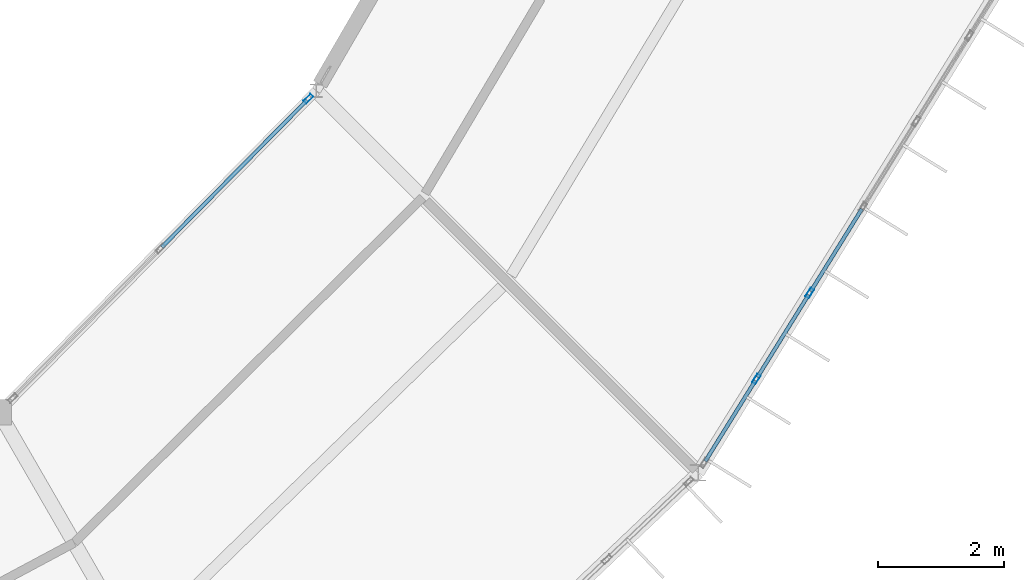
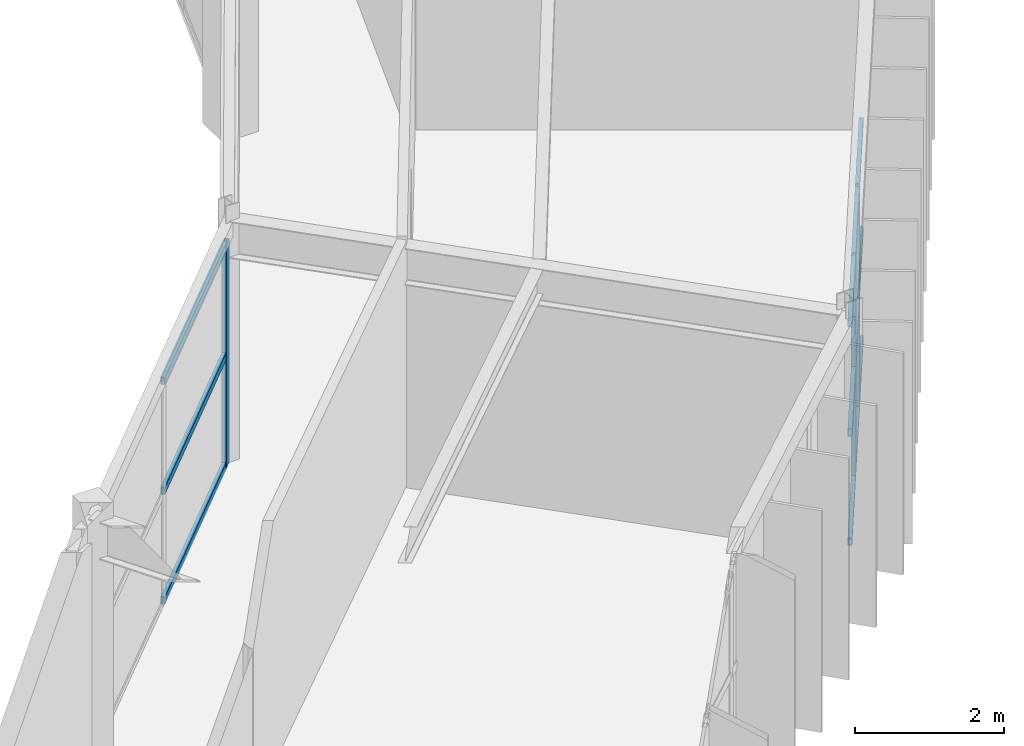
# One storey, part 47 of 130: 15 members, 2 elements without a shape of their own.
"""IFC4 building model written with IfcOpenShell, lengths in metres."""

from ifc_helpers import new_model, si_unit, direction, frame, origin, origin_2d, place, context, subcontext, project, spatial, hollow_rectangle, extrude, material, material_profile, profile_set, type_object, element, aggregate, save


model = new_model("IFC4")

# Units and contexts
model_context = context("Model", 3, precision=1e-05, world=origin(), true_north=direction((0.0, 1.0)))
body_context = subcontext(model_context, "Body", "Model", "MODEL_VIEW")
ifc_project = project(units=[si_unit("LENGTHUNIT", "METRE"), si_unit("AREAUNIT", "SQUARE_METRE"), si_unit("VOLUMEUNIT", "CUBIC_METRE"), si_unit("PLANEANGLEUNIT", "RADIAN"), si_unit("MASSUNIT", "GRAM", prefix="KILO")], contexts=[model_context])

# Site, building, storey
site_placement = place(None, origin())
site = spatial("IfcSite", under=ifc_project, at=site_placement, CompositionType="ELEMENT")
building_placement = place(site_placement, origin())
building = spatial("IfcBuilding", under=site, at=building_placement, Name="Karori Crest Natural Sciences Institute", CompositionType="ELEMENT")
storey_placement = place(building_placement, frame((0.0, 0.0, 17.5)))
storey = spatial("IfcBuildingStorey", under=building, at=storey_placement, Name="L04", CompositionType="ELEMENT", Elevation=17.5)

# Curtain wall, member
ifc_material = material(Name="Anodised architectural aluminium 6063-T6", Category="aluminium")
curtain_wall_type_1 = type_object("IfcCurtainWallType", Name="CWT-11", PredefinedType="NOTDEFINED", material=ifc_material)
curtain_wall_1_placement = place(storey_placement, origin())
curtain_wall_1 = element("IfcCurtainWall", 1, at=curtain_wall_1_placement, inside=storey, type_object=curtain_wall_type_1, Name="Curtain wall CW-0167", PredefinedType="NOTDEFINED")
ifc_material_profile_1 = material_profile(ifc_material, hollow_rectangle(XDim=0.06494140625, YDim=0.159912109375, WallThickness=0.00390625, at=origin_2d()), Name="CWM160x65x4")
ifc_profile_set_1 = profile_set([ifc_material_profile_1], Name="Anodised architectural aluminium 6063-T6")
member_type_1 = type_object("IfcMemberType", Name="CWM-01", PredefinedType="MULLION", material=ifc_profile_set_1)
member_1_placement = place(storey_placement, frame((83.529541015625, 27.005615234375, 0.0), z_axis=(0.0, 0.0, 1.0), x_axis=(-0.711524963942, 0.702660818381, 0.0)))
member_1 = element("IfcMember", 2, at=member_1_placement, type_object=member_type_1, Name="CW-0167 mullion 3", PredefinedType="MULLION", context=body_context, shape_type="SweptSolid", body=[
    extrude(hollow_rectangle(XDim=0.06494140625, YDim=0.159912109375, WallThickness=0.00390625, at=origin_2d()), origin(), (0.0, 0.0, 1.0), 3.64990234375),
])

# Curtain wall, members
curtain_wall_type_2 = type_object("IfcCurtainWallType", Name="CWT-02", PredefinedType="NOTDEFINED", material=ifc_material)
curtain_wall_2_placement = place(storey_placement, origin())
curtain_wall_2 = element("IfcCurtainWall", 3, at=curtain_wall_2_placement, inside=storey, type_object=curtain_wall_type_2, Name="Curtain wall CW-0168", PredefinedType="NOTDEFINED")
member_2_placement = place(storey_placement, frame((91.509765625, 23.910400390625, 0.0), z_axis=(0.0, 0.0, 1.0), x_axis=(0.849664350398, -0.527323896352, 0.0)))
member_2 = element("IfcMember", 4, at=member_2_placement, type_object=member_type_1, Name="CW-0168 mullion 5", PredefinedType="MULLION", context=body_context, shape_type="SweptSolid", body=[
    extrude(hollow_rectangle(XDim=0.06494140625, YDim=0.159912109375, WallThickness=0.00390625, at=origin_2d()), origin(), (0.0, 0.0, 1.0), 3.625),
])
member_3_placement = place(storey_placement, frame((90.661865234375, 22.54443359375, 0.0), z_axis=(0.0, 0.0, 1.0), x_axis=(0.849664350398, -0.527323896352, 0.0)))
member_3 = element("IfcMember", 5, at=member_3_placement, type_object=member_type_1, Name="CW-0168 mullion 6", PredefinedType="MULLION", context=body_context, shape_type="SweptSolid", body=[
    extrude(hollow_rectangle(XDim=0.06494140625, YDim=0.159912109375, WallThickness=0.00390625, at=origin_2d()), origin(), (0.0, 0.0, 1.0), 3.625),
])

# Member
ifc_material_profile_2 = material_profile(ifc_material, hollow_rectangle(XDim=0.06005859375, YDim=0.1201171875, WallThickness=0.00390625, at=origin_2d()), Name="CWT120x60x4")
ifc_profile_set_2 = profile_set([ifc_material_profile_2], Name="Anodised architectural aluminium 6063-T6")
member_type_2 = type_object("IfcMemberType", Name="CWT-TR1", PredefinedType="USERDEFINED", material=ifc_profile_set_2)
member_4_placement = place(storey_placement, frame((81.197021484375, 24.643798828125, 0.030029296875), z_axis=(0.702636271003, 0.711549204673, 0.0), x_axis=(-0.711549204673, 0.702636271003, 0.0)))
member_4 = element("IfcMember", 6, at=member_4_placement, type_object=member_type_2, Name="CW-0167 transom 2.1", ObjectType="TRANSOM", PredefinedType="USERDEFINED", context=body_context, shape_type="SweptSolid", body=[
    extrude(hollow_rectangle(XDim=0.06005859375, YDim=0.1201171875, WallThickness=0.00390625, at=origin_2d()), origin(), (0.0, 0.0, 1.0), 3.287109375),
])

member_5_placement = place(storey_placement, frame((81.197021484375, 24.643798828125, 1.824951171875), z_axis=(0.702636271003, 0.711549204673, 0.0), x_axis=(-0.711549204673, 0.702636271003, 0.0)))
member_5 = element("IfcMember", 7, at=member_5_placement, type_object=member_type_2, Name="CW-0167 transom 2.2", ObjectType="TRANSOM", PredefinedType="USERDEFINED", context=body_context, shape_type="SweptSolid", body=[
    extrude(hollow_rectangle(XDim=0.06005859375, YDim=0.1201171875, WallThickness=0.00390625, at=origin_2d()), origin(), (0.0, 0.0, 1.0), 3.287109375),
])

member_6_placement = place(storey_placement, frame((81.197021484375, 24.643798828125, 3.6201171875), z_axis=(0.702636271003, 0.711549204673, 0.0), x_axis=(-0.711549204673, 0.702636271003, 0.0)))
member_6 = element("IfcMember", 8, at=member_6_placement, type_object=member_type_2, Name="CW-0167 transom 2.3", ObjectType="TRANSOM", PredefinedType="USERDEFINED", context=body_context, shape_type="SweptSolid", body=[
    extrude(hollow_rectangle(XDim=0.06005859375, YDim=0.1201171875, WallThickness=0.00390625, at=origin_2d()), origin(), (0.0, 0.0, 1.0), 3.287109375),
])

aggregate(curtain_wall_1, [member_1, member_4, member_5, member_6])

member_7_placement = place(storey_placement, frame((92.34033203125, 25.248779296875, 0.030029296875), z_axis=(-0.527307708925, -0.849674396524, 0.0), x_axis=(0.849674396524, -0.527307708925, 0.0)))
member_7 = element("IfcMember", 9, at=member_7_placement, type_object=member_type_2, Name="CW-0168 transom 4.1", ObjectType="TRANSOM", PredefinedType="USERDEFINED", context=body_context, shape_type="SweptSolid", body=[
    extrude(hollow_rectangle(XDim=0.06005859375, YDim=0.1201171875, WallThickness=0.00390625, at=origin_2d()), origin(), (0.0, 0.0, 1.0), 1.542724609375),
])

member_8_placement = place(storey_placement, frame((92.34033203125, 25.248779296875, 1.8125), z_axis=(-0.527307708925, -0.849674396524, 0.0), x_axis=(0.849674396524, -0.527307708925, 0.0)))
member_8 = element("IfcMember", 10, at=member_8_placement, type_object=member_type_2, Name="CW-0168 transom 4.2", ObjectType="TRANSOM", PredefinedType="USERDEFINED", context=body_context, shape_type="SweptSolid", body=[
    extrude(hollow_rectangle(XDim=0.06005859375, YDim=0.1201171875, WallThickness=0.00390625, at=origin_2d()), origin(), (0.0, 0.0, 1.0), 1.542724609375),
])

member_9_placement = place(storey_placement, frame((92.34033203125, 25.248779296875, 3.594970703125), z_axis=(-0.527307708925, -0.849674396524, 0.0), x_axis=(0.849674396524, -0.527307708925, 0.0)))
member_9 = element("IfcMember", 11, at=member_9_placement, type_object=member_type_2, Name="CW-0168 transom 4.3", ObjectType="TRANSOM", PredefinedType="USERDEFINED", context=body_context, shape_type="SweptSolid", body=[
    extrude(hollow_rectangle(XDim=0.06005859375, YDim=0.1201171875, WallThickness=0.00390625, at=origin_2d()), origin(), (0.0, 0.0, 1.0), 1.542724609375),
])

member_10_placement = place(storey_placement, frame((91.49267578125, 23.8828125, 0.030029296875), z_axis=(-0.527421946724, -0.849603489937, 0.0), x_axis=(0.849603489937, -0.527421946724, 0.0)))
member_10 = element("IfcMember", 12, at=member_10_placement, type_object=member_type_2, Name="CW-0168 transom 5.1", ObjectType="TRANSOM", PredefinedType="USERDEFINED", context=body_context, shape_type="SweptSolid", body=[
    extrude(hollow_rectangle(XDim=0.06005859375, YDim=0.1201171875, WallThickness=0.00390625, at=origin_2d()), origin(), (0.0, 0.0, 1.0), 1.542724609375),
])

member_11_placement = place(storey_placement, frame((91.49267578125, 23.8828125, 1.8125), z_axis=(-0.527421946724, -0.849603489937, 0.0), x_axis=(0.849603489937, -0.527421946724, 0.0)))
member_11 = element("IfcMember", 13, at=member_11_placement, type_object=member_type_2, Name="CW-0168 transom 5.2", ObjectType="TRANSOM", PredefinedType="USERDEFINED", context=body_context, shape_type="SweptSolid", body=[
    extrude(hollow_rectangle(XDim=0.06005859375, YDim=0.1201171875, WallThickness=0.00390625, at=origin_2d()), origin(), (0.0, 0.0, 1.0), 1.542724609375),
])

member_12_placement = place(storey_placement, frame((91.49267578125, 23.8828125, 3.594970703125), z_axis=(-0.527421946724, -0.849603489937, 0.0), x_axis=(0.849603489937, -0.527421946724, 0.0)))
member_12 = element("IfcMember", 14, at=member_12_placement, type_object=member_type_2, Name="CW-0168 transom 5.3", ObjectType="TRANSOM", PredefinedType="USERDEFINED", context=body_context, shape_type="SweptSolid", body=[
    extrude(hollow_rectangle(XDim=0.06005859375, YDim=0.1201171875, WallThickness=0.00390625, at=origin_2d()), origin(), (0.0, 0.0, 1.0), 1.542724609375),
])

member_13_placement = place(storey_placement, frame((90.644775390625, 22.516845703125, 0.030029296875), z_axis=(-0.52732262058, -0.849665142173, 0.0), x_axis=(0.849665142173, -0.52732262058, 0.0)))
member_13 = element("IfcMember", 15, at=member_13_placement, type_object=member_type_2, Name="CW-0168 transom 6.1", ObjectType="TRANSOM", PredefinedType="USERDEFINED", context=body_context, shape_type="SweptSolid", body=[
    extrude(hollow_rectangle(XDim=0.06005859375, YDim=0.1201171875, WallThickness=0.00390625, at=origin_2d()), origin(), (0.0, 0.0, 1.0), 1.51025390625),
])

member_14_placement = place(storey_placement, frame((90.644775390625, 22.516845703125, 1.8125), z_axis=(-0.52732262058, -0.849665142173, 0.0), x_axis=(0.849665142173, -0.52732262058, 0.0)))
member_14 = element("IfcMember", 16, at=member_14_placement, type_object=member_type_2, Name="CW-0168 transom 6.2", ObjectType="TRANSOM", PredefinedType="USERDEFINED", context=body_context, shape_type="SweptSolid", body=[
    extrude(hollow_rectangle(XDim=0.06005859375, YDim=0.1201171875, WallThickness=0.00390625, at=origin_2d()), origin(), (0.0, 0.0, 1.0), 1.51025390625),
])

member_15_placement = place(storey_placement, frame((90.644775390625, 22.516845703125, 3.594970703125), z_axis=(-0.52732262058, -0.849665142173, 0.0), x_axis=(0.849665142173, -0.52732262058, 0.0)))
member_15 = element("IfcMember", 17, at=member_15_placement, type_object=member_type_2, Name="CW-0168 transom 6.3", ObjectType="TRANSOM", PredefinedType="USERDEFINED", context=body_context, shape_type="SweptSolid", body=[
    extrude(hollow_rectangle(XDim=0.06005859375, YDim=0.1201171875, WallThickness=0.00390625, at=origin_2d()), origin(), (0.0, 0.0, 1.0), 1.51025390625),
])

aggregate(curtain_wall_2, [member_2, member_3, member_7, member_8, member_9, member_10, member_11, member_12, member_13, member_14, member_15])

save(model, "model.ifc")
